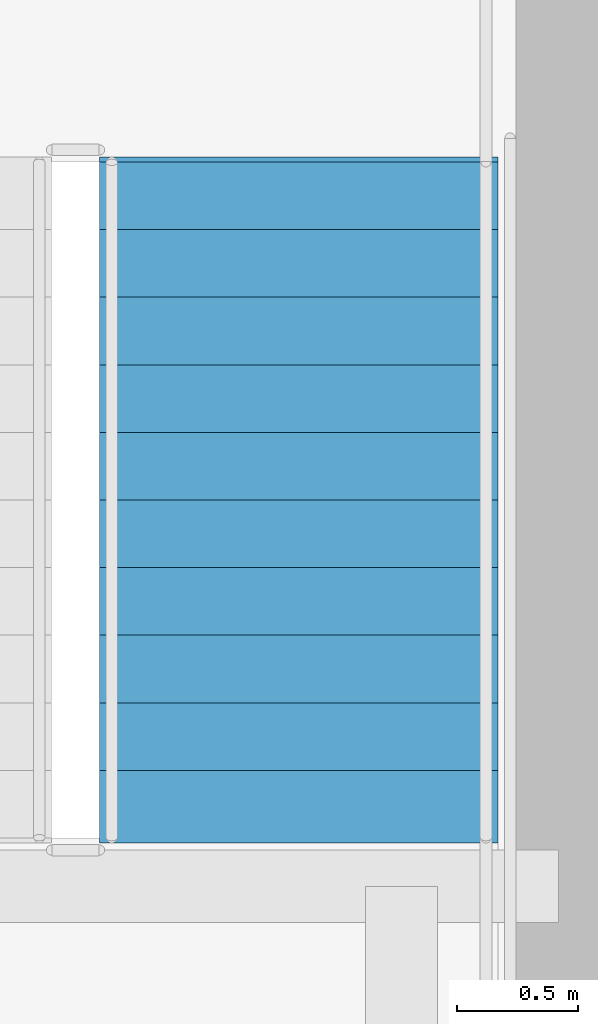
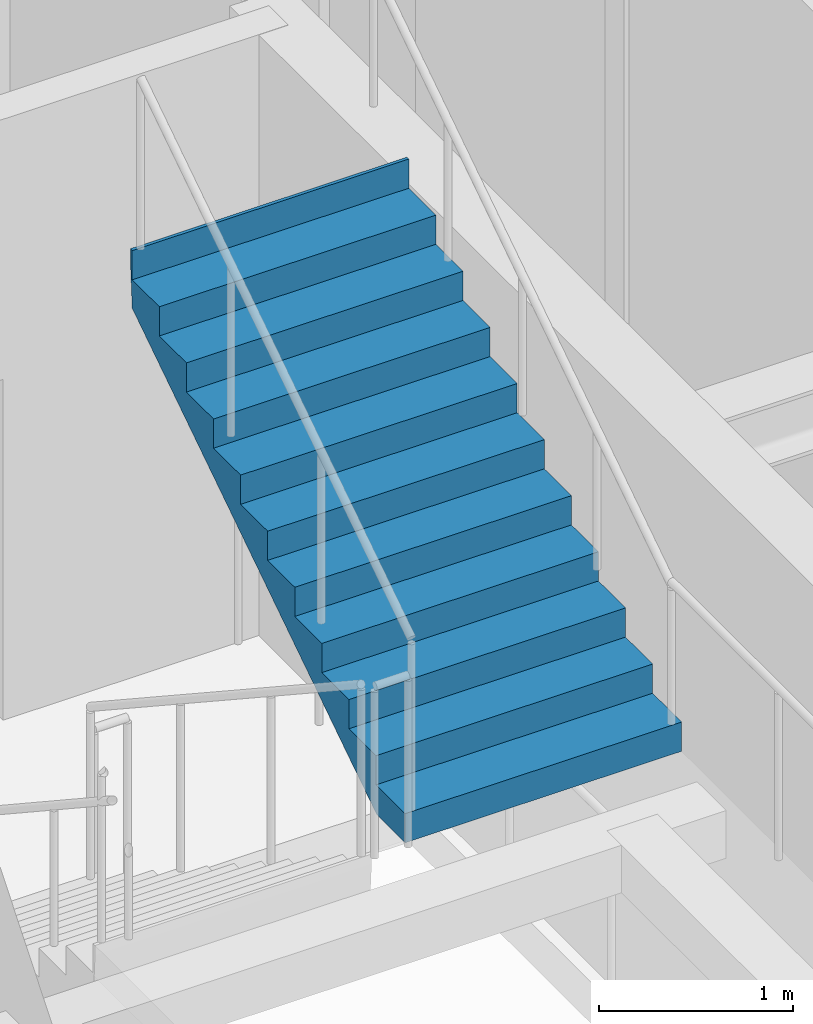
# One storey, part 35 of 40: 1 stair flight, 1 element without a shape of its own.
"""IFC4 building model written with IfcOpenShell, lengths in metres."""

from ifc_helpers import new_model, si_unit, direction, frame, origin, place, context, subcontext, project, spatial, polygons, material, type_object, element, aggregate, save


model = new_model("IFC4")

# Units and contexts
model_context = context("Model", 3, precision=1e-05, world=origin(), true_north=direction((0.0, 1.0)))
body_context = subcontext(model_context, "Body", "Model", "MODEL_VIEW")
ifc_project = project(units=[si_unit("LENGTHUNIT", "METRE"), si_unit("AREAUNIT", "SQUARE_METRE"), si_unit("VOLUMEUNIT", "CUBIC_METRE"), si_unit("PLANEANGLEUNIT", "RADIAN"), si_unit("MASSUNIT", "GRAM", prefix="KILO")], contexts=[model_context])

# Site, building, storey
site_placement = place(None, origin())
site = spatial("IfcSite", under=ifc_project, at=site_placement, CompositionType="ELEMENT")
building_placement = place(site_placement, origin())
building = spatial("IfcBuilding", under=site, at=building_placement, Name="Serunith Strait Residences", CompositionType="ELEMENT")
storey_placement = place(building_placement, frame((0.0, 0.0, 313.699951171875)))
storey = spatial("IfcBuildingStorey", under=building, at=storey_placement, Name="L78", CompositionType="ELEMENT", Elevation=313.699951171875)

# Stair, stair flight
ifc_material = material(Name="Concrete C50/60", Category="concrete")
stair_type = type_object("IfcStairType", Name="STR-CORE-2", PredefinedType="HALF_TURN_STAIR", material=ifc_material)
stair_placement = place(storey_placement, origin())
stair = element("IfcStair", 1, at=stair_placement, inside=storey, type_object=stair_type, Name="L78 Protected Escape Stair ST-2", PredefinedType="HALF_TURN_STAIR")
stair_flight_type = type_object("IfcStairFlightType", Name="FLT-CORE-2", PredefinedType="STRAIGHT", material=ifc_material)
stair_flight_placement = place(storey_placement, frame((40.324951171875, 20.570068359375, 2.025146484375), z_axis=(0.0, 0.0, 1.0), x_axis=(0.0, 1.0, 0.0)))
stair_flight = element("IfcStairFlight", 2, at=stair_flight_placement, type_object=stair_flight_type, Name="ST-2 flight 2", NumberOfRisers=11, NumberOfTreads=10, PredefinedType="STRAIGHT", RiserHeight=0.184090909, TreadLength=0.28, context=body_context, shape_type="Tessellation", body=[
    polygons([(-0.02001953125, -0.824951171875, 0.0), (-0.02001953125, -0.824951171875, 0.18408203125), (0.280029296875, -0.824951171875, 0.18408203125), (0.280029296875, -0.824951171875, 0.3681640625), (0.56005859375, -0.824951171875, 0.3681640625), (0.56005859375, -0.824951171875, 0.55224609375), (0.840087890625, -0.824951171875, 0.55224609375), (0.840087890625, -0.824951171875, 0.736328125), (1.1201171875, -0.824951171875, 0.736328125), (1.1201171875, -0.824951171875, 0.92041015625), (1.39990234375, -0.824951171875, 0.92041015625), (1.39990234375, -0.824951171875, 1.1044921875), (1.679931640625, -0.824951171875, 1.1044921875), (1.679931640625, -0.824951171875, 1.28857421875), (1.9599609375, -0.824951171875, 1.28857421875), (1.9599609375, -0.824951171875, 1.47265625), (2.239990234375, -0.824951171875, 1.47265625), (2.239990234375, -0.824951171875, 1.65673828125), (2.52001953125, -0.824951171875, 1.65673828125), (2.52001953125, -0.824951171875, 1.8408203125), (2.800048828125, -0.824951171875, 1.8408203125), (2.800048828125, -0.824951171875, 2.02490234375), (2.820068359375, -0.824951171875, 2.02490234375), (2.820068359375, -0.824951171875, 1.965087890625), (2.800048828125, -0.824951171875, 1.66162109375), (0.27294921875, -0.824951171875, 0.0), (-0.02001953125, -0.41259765625, 0.0), (-0.02001953125, -0.41259765625, 0.18408203125), (0.280029296875, -0.41259765625, 0.18408203125), (0.280029296875, -0.41259765625, 0.3681640625), (0.56005859375, -0.41259765625, 0.3681640625), (0.56005859375, -0.41259765625, 0.55224609375), (0.840087890625, -0.41259765625, 0.55224609375), (0.840087890625, -0.41259765625, 0.736328125), (1.1201171875, -0.41259765625, 0.736328125), (1.1201171875, -0.41259765625, 0.92041015625), (1.39990234375, -0.41259765625, 0.92041015625), (1.39990234375, -0.41259765625, 1.1044921875), (1.679931640625, -0.41259765625, 1.1044921875), (1.679931640625, -0.41259765625, 1.28857421875), (1.9599609375, -0.41259765625, 1.28857421875), (1.9599609375, -0.41259765625, 1.47265625), (2.239990234375, -0.41259765625, 1.47265625), (2.239990234375, -0.41259765625, 1.65673828125), (2.52001953125, -0.41259765625, 1.65673828125), (2.52001953125, -0.41259765625, 1.8408203125), (2.800048828125, -0.41259765625, 1.8408203125), (2.800048828125, -0.41259765625, 2.02490234375), (2.820068359375, -0.41259765625, 2.02490234375), (2.820068359375, -0.41259765625, 1.965087890625), (2.800048828125, -0.41259765625, 1.66162109375), (0.27294921875, -0.41259765625, 0.0), (-0.02001953125, 0.0, 0.0), (-0.02001953125, 0.0, 0.18408203125), (0.280029296875, 0.0, 0.18408203125), (0.280029296875, 0.0, 0.3681640625), (0.56005859375, 0.0, 0.3681640625), (0.56005859375, 0.0, 0.55224609375), (0.840087890625, 0.0, 0.55224609375), (0.840087890625, 0.0, 0.736328125), (1.1201171875, 0.0, 0.736328125), (1.1201171875, 0.0, 0.92041015625), (1.39990234375, 0.0, 0.92041015625), (1.39990234375, 0.0, 1.1044921875), (1.679931640625, 0.0, 1.1044921875), (1.679931640625, 0.0, 1.28857421875), (1.9599609375, 0.0, 1.28857421875), (1.9599609375, 0.0, 1.47265625), (2.239990234375, 0.0, 1.47265625), (2.239990234375, 0.0, 1.65673828125), (2.52001953125, 0.0, 1.65673828125), (2.52001953125, 0.0, 1.8408203125), (2.800048828125, 0.0, 1.8408203125), (2.800048828125, 0.0, 2.02490234375), (2.820068359375, 0.0, 2.02490234375), (2.820068359375, 0.0, 1.965087890625), (2.800048828125, 0.0, 1.66162109375), (0.27294921875, 0.0, 0.0), (-0.02001953125, 0.41259765625, 0.0), (-0.02001953125, 0.41259765625, 0.18408203125), (0.280029296875, 0.41259765625, 0.18408203125), (0.280029296875, 0.41259765625, 0.3681640625), (0.56005859375, 0.41259765625, 0.3681640625), (0.56005859375, 0.41259765625, 0.55224609375), (0.840087890625, 0.41259765625, 0.55224609375), (0.840087890625, 0.41259765625, 0.736328125), (1.1201171875, 0.41259765625, 0.736328125), (1.1201171875, 0.41259765625, 0.92041015625), (1.39990234375, 0.41259765625, 0.92041015625), (1.39990234375, 0.41259765625, 1.1044921875), (1.679931640625, 0.41259765625, 1.1044921875), (1.679931640625, 0.41259765625, 1.28857421875), (1.9599609375, 0.41259765625, 1.28857421875), (1.9599609375, 0.41259765625, 1.47265625), (2.239990234375, 0.41259765625, 1.47265625), (2.239990234375, 0.41259765625, 1.65673828125), (2.52001953125, 0.41259765625, 1.65673828125), (2.52001953125, 0.41259765625, 1.8408203125), (2.800048828125, 0.41259765625, 1.8408203125), (2.800048828125, 0.41259765625, 2.02490234375), (2.820068359375, 0.41259765625, 2.02490234375), (2.820068359375, 0.41259765625, 1.965087890625), (2.800048828125, 0.41259765625, 1.66162109375), (0.27294921875, 0.41259765625, 0.0), (-0.02001953125, 0.824951171875, 0.0), (-0.02001953125, 0.824951171875, 0.18408203125), (0.280029296875, 0.824951171875, 0.18408203125), (0.280029296875, 0.824951171875, 0.3681640625), (0.56005859375, 0.824951171875, 0.3681640625), (0.56005859375, 0.824951171875, 0.55224609375), (0.840087890625, 0.824951171875, 0.55224609375), (0.840087890625, 0.824951171875, 0.736328125), (1.1201171875, 0.824951171875, 0.736328125), (1.1201171875, 0.824951171875, 0.92041015625), (1.39990234375, 0.824951171875, 0.92041015625), (1.39990234375, 0.824951171875, 1.1044921875), (1.679931640625, 0.824951171875, 1.1044921875), (1.679931640625, 0.824951171875, 1.28857421875), (1.9599609375, 0.824951171875, 1.28857421875), (1.9599609375, 0.824951171875, 1.47265625), (2.239990234375, 0.824951171875, 1.47265625), (2.239990234375, 0.824951171875, 1.65673828125), (2.52001953125, 0.824951171875, 1.65673828125), (2.52001953125, 0.824951171875, 1.8408203125), (2.800048828125, 0.824951171875, 1.8408203125), (2.800048828125, 0.824951171875, 2.02490234375), (2.820068359375, 0.824951171875, 2.02490234375), (2.820068359375, 0.824951171875, 1.965087890625), (2.800048828125, 0.824951171875, 1.66162109375), (0.27294921875, 0.824951171875, 0.0)], [[[1, 2, 28, 27]], [[2, 3, 29, 28]], [[3, 4, 30, 29]], [[4, 5, 31, 30]], [[5, 6, 32, 31]], [[6, 7, 33, 32]], [[7, 8, 34, 33]], [[8, 9, 35, 34]], [[9, 10, 36, 35]], [[10, 11, 37, 36]], [[11, 12, 38, 37]], [[12, 13, 39, 38]], [[13, 14, 40, 39]], [[14, 15, 41, 40]], [[15, 16, 42, 41]], [[16, 17, 43, 42]], [[17, 18, 44, 43]], [[18, 19, 45, 44]], [[19, 20, 46, 45]], [[20, 21, 47, 46]], [[21, 22, 48, 47]], [[22, 23, 49, 48]], [[23, 24, 50, 49]], [[24, 25, 51, 50]], [[25, 26, 52, 51]], [[26, 1, 27, 52]], [[27, 28, 54, 53]], [[28, 29, 55, 54]], [[29, 30, 56, 55]], [[30, 31, 57, 56]], [[31, 32, 58, 57]], [[32, 33, 59, 58]], [[33, 34, 60, 59]], [[34, 35, 61, 60]], [[35, 36, 62, 61]], [[36, 37, 63, 62]], [[37, 38, 64, 63]], [[38, 39, 65, 64]], [[39, 40, 66, 65]], [[40, 41, 67, 66]], [[41, 42, 68, 67]], [[42, 43, 69, 68]], [[43, 44, 70, 69]], [[44, 45, 71, 70]], [[45, 46, 72, 71]], [[46, 47, 73, 72]], [[47, 48, 74, 73]], [[48, 49, 75, 74]], [[49, 50, 76, 75]], [[50, 51, 77, 76]], [[51, 52, 78, 77]], [[52, 27, 53, 78]], [[53, 54, 80, 79]], [[54, 55, 81, 80]], [[55, 56, 82, 81]], [[56, 57, 83, 82]], [[57, 58, 84, 83]], [[58, 59, 85, 84]], [[59, 60, 86, 85]], [[60, 61, 87, 86]], [[61, 62, 88, 87]], [[62, 63, 89, 88]], [[63, 64, 90, 89]], [[64, 65, 91, 90]], [[65, 66, 92, 91]], [[66, 67, 93, 92]], [[67, 68, 94, 93]], [[68, 69, 95, 94]], [[69, 70, 96, 95]], [[70, 71, 97, 96]], [[71, 72, 98, 97]], [[72, 73, 99, 98]], [[73, 74, 100, 99]], [[74, 75, 101, 100]], [[75, 76, 102, 101]], [[76, 77, 103, 102]], [[77, 78, 104, 103]], [[78, 53, 79, 104]], [[79, 80, 106, 105]], [[80, 81, 107, 106]], [[81, 82, 108, 107]], [[82, 83, 109, 108]], [[83, 84, 110, 109]], [[84, 85, 111, 110]], [[85, 86, 112, 111]], [[86, 87, 113, 112]], [[87, 88, 114, 113]], [[88, 89, 115, 114]], [[89, 90, 116, 115]], [[90, 91, 117, 116]], [[91, 92, 118, 117]], [[92, 93, 119, 118]], [[93, 94, 120, 119]], [[94, 95, 121, 120]], [[95, 96, 122, 121]], [[96, 97, 123, 122]], [[97, 98, 124, 123]], [[98, 99, 125, 124]], [[99, 100, 126, 125]], [[100, 101, 127, 126]], [[101, 102, 128, 127]], [[102, 103, 129, 128]], [[103, 104, 130, 129]], [[104, 79, 105, 130]], [[26, 25, 24, 23, 22, 21, 20, 19, 18, 17, 16, 15, 14, 13, 12, 11, 10, 9, 8, 7, 6, 5, 4, 3, 2, 1]], [[105, 106, 107, 108, 109, 110, 111, 112, 113, 114, 115, 116, 117, 118, 119, 120, 121, 122, 123, 124, 125, 126, 127, 128, 129, 130]]], closed=True),
])
aggregate(stair, [stair_flight])

save(model, "model.ifc")
